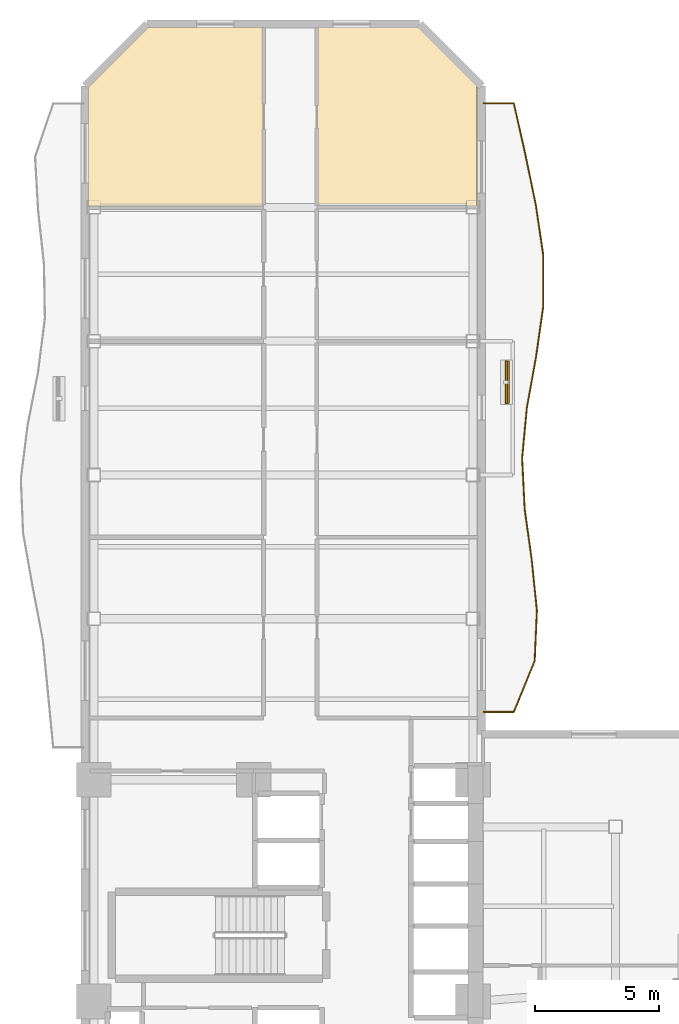
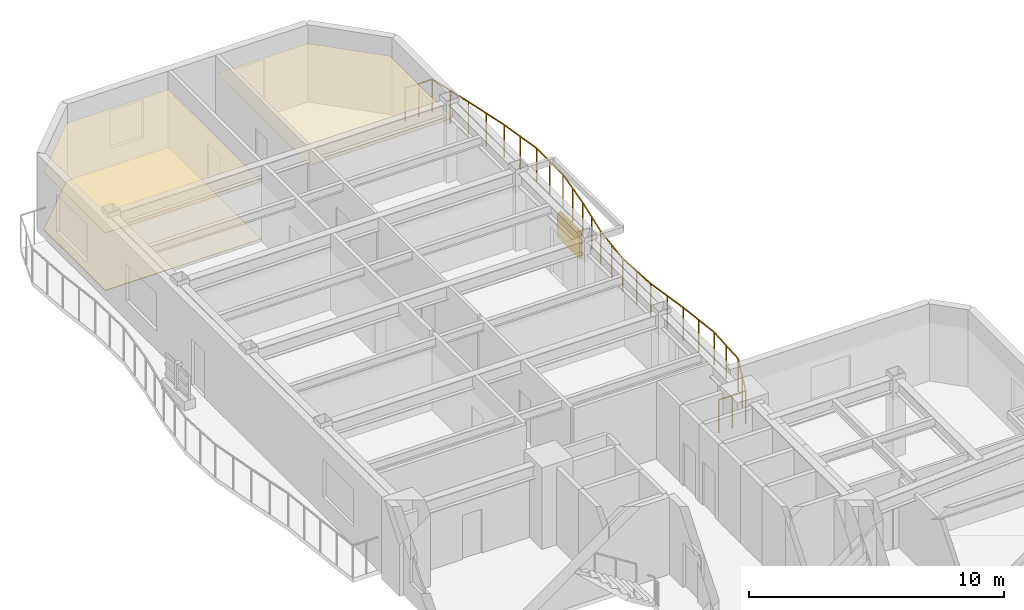
# One storey, part 10 of 10: 4 shading devices, 3 coverings, 1 railing.
"""IFC4 building model written with IfcOpenShell, lengths in metres."""

import ifcopenshell
import ifcopenshell.guid

model = None  # the IFC model being written
_history = None  # IfcOwnerHistory: only IFC2X3 demands one
_inside = {}  # id of a spatial element -> (the spatial element, [elements in it])
_under = {}  # id of a project, library or spatial element -> (it, [spatial elements below it])
_declared = {}  # id of a project -> (the project, [libraries it declares])
_typed = {}  # id of a type object -> (the type object, [elements of that type])
_made_of = {}  # id of a material, layer set ... -> (it, [elements and type objects made of it])


def new_model(schema):
    """Start an empty IFC model of exactly this schema.

    Asked for "IFC4X3", IfcOpenShell would pick the latest addendum, in which some entities
    have other attributes; the version numbers below select the first issue.
    IFC2X3 requires an IfcOwnerHistory on every rooted entity: one is made here for all.
    """
    global model, _history
    if schema == "IFC4X3":
        model = ifcopenshell.file(schema_version=(4, 3, 0, 0))
    else:
        model = ifcopenshell.file(schema=schema)
    _inside.clear()
    _under.clear()
    _declared.clear()
    _typed.clear()
    _made_of.clear()
    _history = None
    if model.schema == "IFC2X3":
        org = make("IfcOrganization", Name="unknown")
        user = make(
            "IfcPersonAndOrganization",
            ThePerson=make("IfcPerson", FamilyName="unknown"),
            TheOrganization=org,
        )
        app = make(
            "IfcApplication",
            ApplicationDeveloper=org,
            Version="unknown",
            ApplicationFullName="unknown",
            ApplicationIdentifier="unknown",
        )
        _history = make(
            "IfcOwnerHistory",
            OwningUser=user,
            OwningApplication=app,
            ChangeAction="ADDED",
            CreationDate=0,
        )
    return model


def make(cls, **values):
    """One entity of the class cls with the attributes given. An attribute that is None is left unset."""
    return model.create_entity(
        cls, **{name: value for name, value in values.items() if value is not None}
    )


def rooted(cls, **values):
    """An entity with a GlobalId (a new one), such as an element, a storey or a relation."""
    return make(cls, GlobalId=ifcopenshell.guid.new(), OwnerHistory=_history, **values)


def si_unit(unit_type, name, prefix=None):
    """IfcSIUnit, for example si_unit("LENGTHUNIT", "METRE", prefix="MILLI")."""
    return make("IfcSIUnit", UnitType=unit_type, Prefix=prefix, Name=name)


def assignment(units):
    """IfcUnitAssignment: the units of a project."""
    return None if units is None else make("IfcUnitAssignment", Units=units)


def point(xyz):
    """IfcCartesianPoint."""
    return None if xyz is None else make("IfcCartesianPoint", Coordinates=xyz)


def direction(xyz):
    """IfcDirection."""
    return None if xyz is None else make("IfcDirection", DirectionRatios=xyz)


def frame(location, z_axis=None, x_axis=None):
    """IfcAxis2Placement3D, a coordinate frame: its origin and axes. An axis left out is left unset."""
    return make(
        "IfcAxis2Placement3D",
        Location=point(location),
        Axis=direction(z_axis),
        RefDirection=direction(x_axis),
    )


def frame_2d(location, x_axis=None):
    """IfcAxis2Placement2D, a coordinate frame in the plane: its origin and x axis."""
    return make(
        "IfcAxis2Placement2D", Location=point(location), RefDirection=direction(x_axis)
    )


def origin():
    """The frame at (0, 0, 0) with its axes left unset."""
    return frame((0.0, 0.0, 0.0))


def origin_2d():
    """The frame at (0, 0) in the plane with its x axis left unset."""
    return frame_2d((0.0, 0.0))


def place(relative_to, where):
    """IfcLocalPlacement: puts the frame where relative to a parent placement (None: the world)."""
    return make(
        "IfcLocalPlacement", PlacementRelTo=relative_to, RelativePlacement=where
    )


def context(
    kind, dimensions, precision=None, world=None, true_north=None, identifier=None
):
    """IfcGeometricRepresentationContext, for example the 3D "Model" context."""
    return make(
        "IfcGeometricRepresentationContext",
        ContextIdentifier=identifier,
        ContextType=kind,
        CoordinateSpaceDimension=dimensions,
        Precision=precision,
        WorldCoordinateSystem=world,
        TrueNorth=true_north,
    )


def subcontext(parent, identifier, kind, view, scale=None):
    """IfcGeometricRepresentationSubContext, for example "Body" below "Model"."""
    return make(
        "IfcGeometricRepresentationSubContext",
        ContextIdentifier=identifier,
        ContextType=kind,
        ParentContext=parent,
        TargetScale=scale,
        TargetView=view,
    )


def project(units=None, contexts=None):
    """IfcProject with its units and contexts."""
    return rooted(
        "IfcProject",
        Name="project",
        RepresentationContexts=contexts,
        UnitsInContext=assignment(units),
    )


def spatial(cls, under=None, at=None, **own):
    """A site, building, storey or space (cls), placed at a placement, below another one or the project."""
    s = rooted(cls, ObjectPlacement=at, **own)
    if under is not None:
        _under.setdefault(under.id(), (under, []))[1].append(s)
    return s


def polyline(points):
    """IfcPolyline through the points."""
    return make("IfcPolyline", Points=[point(p) for p in points])


def profile(cls, at=None, kind="AREA", **sizes):
    """A parametric profile (cls). Its sizes go by their IFC names, for example OverallWidth=200.0."""
    return make(cls, ProfileType=kind, Position=at, **sizes)


def rectangle(**sizes):
    """IfcRectangleProfileDef."""
    return profile("IfcRectangleProfileDef", **sizes)


def outline(outer, holes=None, kind="AREA"):
    """IfcArbitraryClosedProfileDef: a profile drawn as a closed curve; with holes, ...WithVoids."""
    if holes is None:
        return make("IfcArbitraryClosedProfileDef", ProfileType=kind, OuterCurve=outer)
    return make(
        "IfcArbitraryProfileDefWithVoids",
        ProfileType=kind,
        OuterCurve=outer,
        InnerCurves=holes,
    )


def extrude(swept, where, along, depth):
    """IfcExtrudedAreaSolid: the profile swept, set in the frame where, extruded along a direction by depth."""
    return make(
        "IfcExtrudedAreaSolid",
        SweptArea=swept,
        Position=where,
        ExtrudedDirection=direction(along),
        Depth=depth,
    )


def shape(context_of_items, identifier, shape_type, items):
    """IfcShapeRepresentation: the items that make up one representation, for example the "Body"."""
    return make(
        "IfcShapeRepresentation",
        ContextOfItems=context_of_items,
        RepresentationIdentifier=identifier,
        RepresentationType=shape_type,
        Items=items,
    )


def material(Name=None, Category=None):
    """IfcMaterial."""
    return make("IfcMaterial", Name=Name, Category=Category)


def layer(
    of_material, thickness, ventilated=None, Name=None, Category=None, Priority=None
):
    """IfcMaterialLayer: one layer of a wall or slab, of a material (None: an air gap)."""
    return make(
        "IfcMaterialLayer",
        Material=of_material,
        LayerThickness=thickness,
        IsVentilated=ventilated,
        Name=Name,
        Category=Category,
        Priority=Priority,
    )


def layer_set(layers, Name=None):
    """IfcMaterialLayerSet."""
    return make("IfcMaterialLayerSet", MaterialLayers=layers, LayerSetName=Name)


def material_profile(
    of_material, cross_section, Name=None, Category=None, Priority=None
):
    """IfcMaterialProfile: a cross section and its material."""
    return make(
        "IfcMaterialProfile",
        Name=Name,
        Material=of_material,
        Profile=cross_section,
        Priority=Priority,
        Category=Category,
    )


def profile_set(profiles, Name=None, composite=None):
    """IfcMaterialProfileSet."""
    return make(
        "IfcMaterialProfileSet",
        Name=Name,
        MaterialProfiles=profiles,
        CompositeProfile=composite,
    )


def made_of(thing, what):
    """Note that an element or type object is made of a material, layer set ...; save() writes the relation."""
    if what is not None:
        _made_of.setdefault(what.id(), (what, []))[1].append(thing)
    return thing


def type_object(cls, material=None, **own):
    """A type object (cls), such as IfcWallType, which elements share."""
    return made_of(rooted(cls, **own), material)


def element(
    cls,
    number,
    at=None,
    inside=None,
    cuts=None,
    type_object=None,
    material=None,
    context=None,
    identifier="Body",
    shape_type=None,
    held_by="IfcProductDefinitionShape",
    body=None,
    shapes=None,
    **own,
):
    """One element of the class cls, such as IfcWall. Its Tag is "e" and its number.

    at: its placement. inside: the storey or other place that contains it. cuts: it is an
    opening in that element (IfcRelVoidsElement). A single representation is given by context,
    identifier, shape_type and body (its items); several are given by shapes. held_by: the class
    of the entity that holds the representations. save() writes the other relations.
    """
    e = rooted(cls, Tag="e%d" % number, ObjectPlacement=at, **own)
    if body is not None:
        shapes = [shape(context, identifier, shape_type, body)]
    if shapes is not None:
        e.Representation = make(held_by, Representations=shapes)
    if inside is not None:
        _inside.setdefault(inside.id(), (inside, []))[1].append(e)
    if cuts is not None:
        rooted(
            "IfcRelVoidsElement", RelatingBuildingElement=cuts, RelatedOpeningElement=e
        )
    if type_object is not None:
        _typed.setdefault(type_object.id(), (type_object, []))[1].append(e)
    return made_of(e, material)


def aggregate(whole, parts):
    """IfcRelAggregates: a whole, such as a stair, and the parts it consists of."""
    return rooted("IfcRelAggregates", RelatingObject=whole, RelatedObjects=parts)


def save(model, path):
    """Write the relations noted so far, then the file.

    IfcRelAggregates (storeys below a building ...), IfcRelContainedInSpatialStructure (elements
    in a storey), IfcRelDefinesByType, IfcRelAssociatesMaterial and IfcRelDeclares: one each for
    every whole, place, type object, material and project.
    """
    for whole, parts in _under.values():
        aggregate(whole, parts)
    for where, things in _inside.values():
        rooted(
            "IfcRelContainedInSpatialStructure",
            RelatedElements=things,
            RelatingStructure=where,
        )
    for kind, things in _typed.values():
        rooted("IfcRelDefinesByType", RelatedObjects=things, RelatingType=kind)
    for what, things in _made_of.values():
        rooted("IfcRelAssociatesMaterial", RelatedObjects=things, RelatingMaterial=what)
    for by, libraries in _declared.values():
        rooted("IfcRelDeclares", RelatingContext=by, RelatedDefinitions=libraries)
    model.write(path)


model = new_model("IFC4")

# Units and contexts
model_context = context("Model", 3, precision=1e-05, world=origin(), true_north=direction((0.0, 1.0)))
body_context = subcontext(model_context, "Body", "Model", "MODEL_VIEW")
ifc_project = project(units=[si_unit("LENGTHUNIT", "METRE"), si_unit("AREAUNIT", "SQUARE_METRE"), si_unit("VOLUMEUNIT", "CUBIC_METRE"), si_unit("PLANEANGLEUNIT", "RADIAN"), si_unit("MASSUNIT", "GRAM", prefix="KILO")], contexts=[model_context])

# Site, building, storey
site_placement = place(None, origin())
site = spatial("IfcSite", under=ifc_project, at=site_placement, CompositionType="ELEMENT")
building_placement = place(site_placement, origin())
building = spatial("IfcBuilding", under=site, at=building_placement, Name="Mawjaban Terraces University", CompositionType="ELEMENT")
storey_placement = place(building_placement, frame((0.0, 0.0, 81.699951171875)))
storey = spatial("IfcBuildingStorey", under=building, at=storey_placement, Name="L19", CompositionType="ELEMENT", Elevation=81.699951171875)

# Coverings
ifc_material_1 = material(Name="Acoustic mineral fibre ceiling tile", Category="masonry")
ifc_layer_1 = layer(ifc_material_1, 0.02001953125)
ifc_layer_set_1 = layer_set([ifc_layer_1], Name="Acoustic mineral fibre ceiling tile")
covering_type_1 = type_object("IfcCoveringType", Name="AcousticMineralCeiling_20", PredefinedType="CEILING", material=ifc_layer_set_1)
covering_1_placement = place(storey_placement, frame((0.0, 0.0, 2.75)))
element("IfcCovering", 1, at=covering_1_placement, inside=storey, type_object=covering_type_1, Name="L19 Classroom 14 Acoustic Ceiling", PredefinedType="CEILING", context=body_context, shape_type="SweptSolid", body=[
    extrude(outline(polyline([(29.169921875, 53.885009765625), (24.547119140625, 53.885009765625), (22.114990234375, 51.452880859375), (22.114990234375, 46.6298828125), (29.169921875, 46.6298828125), (29.169921875, 53.885009765625)])), origin(), (0.0, 0.0, 1.0), 0.02001953125),
])
covering_2_placement = place(storey_placement, frame((0.0, 0.0, 2.75)))
element("IfcCovering", 2, at=covering_2_placement, inside=storey, type_object=covering_type_1, Name="L19 Academic Counseling Room 15 Acoustic Ceiling", PredefinedType="CEILING", context=body_context, shape_type="SweptSolid", body=[
    extrude(outline(polyline([(37.820068359375, 51.51806640625), (35.452880859375, 53.885009765625), (31.3798828125, 53.885009765625), (31.3798828125, 46.6298828125), (37.820068359375, 46.6298828125), (37.820068359375, 51.51806640625)])), origin(), (0.0, 0.0, 1.0), 0.02001953125),
])

# Railing
ifc_material_2 = material(Name="Galvanised powder-coated steel S355", Category="steel")
railing_type = type_object("IfcRailingType", Name="BalconyBalustrade_1600", PredefinedType="BALUSTRADE", material=ifc_material_2)
railing_placement = place(storey_placement, frame((38.080078125, 26.237060546875, 0.0)))
element("IfcRailing", 3, at=railing_placement, inside=storey, type_object=railing_type, Name="L19 Balcony Guardrail inner_east", PredefinedType="BALUSTRADE", context=body_context, shape_type="SweptSolid", body=[
    extrude(rectangle(XDim=0.048095703125, YDim=0.048095703125, at=origin_2d()), frame((0.0, 0.0, 1.576171875), z_axis=(1.0, 0.0, 0.0), x_axis=(0.0, 1.0, 0.0)), (0.0, 0.0, 1.0), 1.219970703125),
    extrude(rectangle(XDim=0.048095703125, YDim=0.048095703125, at=origin_2d()), frame((1.219970703125, 0.0, 1.576171875), z_axis=(0.380067192371, 0.92495887978, 0.0), x_axis=(-0.92495887978, 0.380067192371, 0.0)), (0.0, 0.0, 1.0), 2.212890625),
    extrude(rectangle(XDim=0.048095703125, YDim=0.048095703125, at=origin_2d()), frame((2.06103515625, 2.046875, 1.576171875), z_axis=(0.044321341141, 0.999017326536, 0.0), x_axis=(-0.999017326536, 0.044321341141, 0.0)), (0.0, 0.0, 1.0), 2.049072265625),
    extrude(rectangle(XDim=0.048095703125, YDim=0.048095703125, at=origin_2d()), frame((2.15185546875, 4.093994140625, 1.576171875), z_axis=(-0.101571207115, 0.994828271555, 0.0), x_axis=(-0.994828271555, -0.101571207115, 0.0)), (0.0, 0.0, 1.0), 2.0576171875),
    extrude(rectangle(XDim=0.048095703125, YDim=0.048095703125, at=origin_2d()), frame((1.94287109375, 6.140869140625, 1.576171875), z_axis=(-0.137848425004, 0.99045333647, 0.0), x_axis=(-0.99045333647, -0.137848425004, 0.0)), (0.0, 0.0, 1.0), 2.06689453125),
    extrude(rectangle(XDim=0.048095703125, YDim=0.048095703125, at=origin_2d()), frame((1.657958984375, 8.18798828125, 1.576171875), z_axis=(-0.049795020712, 0.998759458485, 0.0), x_axis=(-0.998759458485, -0.049795020712, 0.0)), (0.0, 0.0, 1.0), 2.04931640625),
    extrude(rectangle(XDim=0.048095703125, YDim=0.048095703125, at=origin_2d()), frame((1.555908203125, 10.23486328125, 1.576171875), z_axis=(0.092902755783, 0.99567518698, 0.0), x_axis=(-0.99567518698, 0.092902755783, 0.0)), (0.0, 0.0, 1.0), 2.054931640625),
    extrude(rectangle(XDim=0.048095703125, YDim=0.048095703125, at=origin_2d()), frame((1.746826171875, 12.281005859375, 1.576171875), z_axis=(0.178389679961, 0.983959918942, 0.0), x_axis=(-0.983959918942, 0.178389679961, 0.0)), (0.0, 0.0, 1.0), 2.080322265625),
    extrude(rectangle(XDim=0.048095703125, YDim=0.048095703125, at=origin_2d()), frame((2.117919921875, 14.327880859375, 1.576171875), z_axis=(0.140743581352, 0.990046081911, 0.0), x_axis=(-0.990046081911, 0.140743581352, 0.0)), (0.0, 0.0, 1.0), 2.067626953125),
    extrude(rectangle(XDim=0.048095703125, YDim=0.048095703125, at=origin_2d()), frame((2.408935546875, 16.375, 1.576171875), z_axis=(0.000477099182, 0.999999886188, 0.0), x_axis=(-0.999999886188, 0.000477099182, 0.0)), (0.0, 0.0, 1.0), 2.046875),
    extrude(rectangle(XDim=0.048095703125, YDim=0.048095703125, at=origin_2d()), frame((2.409912109375, 18.421875, 1.576171875), z_axis=(-0.146407564098, 0.989224355328, 0.0), x_axis=(-0.989224355328, -0.146407564098, 0.0)), (0.0, 0.0, 1.0), 2.0693359375),
    extrude(rectangle(XDim=0.048095703125, YDim=0.048095703125, at=origin_2d()), frame((2.10693359375, 20.468994140625, 1.576171875), z_axis=(-0.203319966479, 0.979112348626, 0.0), x_axis=(-0.979112348626, -0.203319966479, 0.0)), (0.0, 0.0, 1.0), 2.090576171875),
    extrude(rectangle(XDim=0.048095703125, YDim=0.048095703125, at=origin_2d()), frame((1.681884765625, 22.515869140625, 1.576171875), z_axis=(-0.22010732849, 0.975475660355, 0.0), x_axis=(-0.975475660355, -0.22010732849, 0.0)), (0.0, 0.0, 1.0), 2.0986328125),
    extrude(rectangle(XDim=0.048095703125, YDim=0.048095703125, at=origin_2d()), frame((1.219970703125, 24.56298828125, 1.576171875), z_axis=(-1.0, 0.0, 0.0), x_axis=(0.0, -1.0, 0.0)), (0.0, 0.0, 1.0), 1.219970703125),
    extrude(rectangle(XDim=0.0419921875, YDim=0.0419921875, at=origin_2d()), origin(), (0.0, 0.0, 1.0), 1.552001953125),
    extrude(rectangle(XDim=0.0419921875, YDim=0.0419921875, at=origin_2d()), frame((0.60986328125, 0.0, 0.0)), (0.0, 0.0, 1.0), 1.552001953125),
    extrude(rectangle(XDim=0.0419921875, YDim=0.0419921875, at=origin_2d()), frame((1.219970703125, 0.0, 0.0)), (0.0, 0.0, 1.0), 1.552001953125),
    extrude(rectangle(XDim=0.0419921875, YDim=0.0419921875, at=origin_2d()), frame((1.640625, 1.0234375, 0.0)), (0.0, 0.0, 1.0), 1.552001953125),
    extrude(rectangle(XDim=0.0419921875, YDim=0.0419921875, at=origin_2d()), frame((2.06103515625, 2.046875, 0.0)), (0.0, 0.0, 1.0), 1.552001953125),
    extrude(rectangle(XDim=0.0419921875, YDim=0.0419921875, at=origin_2d()), frame((2.1064453125, 3.0703125, 0.0)), (0.0, 0.0, 1.0), 1.552001953125),
    extrude(rectangle(XDim=0.0419921875, YDim=0.0419921875, at=origin_2d()), frame((2.15185546875, 4.093994140625, 0.0)), (0.0, 0.0, 1.0), 1.552001953125),
    extrude(rectangle(XDim=0.0419921875, YDim=0.0419921875, at=origin_2d()), frame((2.04736328125, 5.117431640625, 0.0)), (0.0, 0.0, 1.0), 1.552001953125),
    extrude(rectangle(XDim=0.0419921875, YDim=0.0419921875, at=origin_2d()), frame((1.94287109375, 6.140869140625, 0.0)), (0.0, 0.0, 1.0), 1.552001953125),
    extrude(rectangle(XDim=0.0419921875, YDim=0.0419921875, at=origin_2d()), frame((1.80029296875, 7.16455078125, 0.0)), (0.0, 0.0, 1.0), 1.552001953125),
    extrude(rectangle(XDim=0.0419921875, YDim=0.0419921875, at=origin_2d()), frame((1.657958984375, 8.18798828125, 0.0)), (0.0, 0.0, 1.0), 1.552001953125),
    extrude(rectangle(XDim=0.0419921875, YDim=0.0419921875, at=origin_2d()), frame((1.60693359375, 9.21142578125, 0.0)), (0.0, 0.0, 1.0), 1.552001953125),
    extrude(rectangle(XDim=0.0419921875, YDim=0.0419921875, at=origin_2d()), frame((1.555908203125, 10.23486328125, 0.0)), (0.0, 0.0, 1.0), 1.552001953125),
    extrude(rectangle(XDim=0.0419921875, YDim=0.0419921875, at=origin_2d()), frame((1.6513671875, 11.2578125, 0.0)), (0.0, 0.0, 1.0), 1.552001953125),
    extrude(rectangle(XDim=0.0419921875, YDim=0.0419921875, at=origin_2d()), frame((1.746826171875, 12.281005859375, 0.0)), (0.0, 0.0, 1.0), 1.552001953125),
    extrude(rectangle(XDim=0.0419921875, YDim=0.0419921875, at=origin_2d()), frame((1.932373046875, 13.304443359375, 0.0)), (0.0, 0.0, 1.0), 1.552001953125),
    extrude(rectangle(XDim=0.0419921875, YDim=0.0419921875, at=origin_2d()), frame((2.117919921875, 14.327880859375, 0.0)), (0.0, 0.0, 1.0), 1.552001953125),
    extrude(rectangle(XDim=0.0419921875, YDim=0.0419921875, at=origin_2d()), frame((2.263427734375, 15.3515625, 0.0)), (0.0, 0.0, 1.0), 1.552001953125),
    extrude(rectangle(XDim=0.0419921875, YDim=0.0419921875, at=origin_2d()), frame((2.408935546875, 16.375, 0.0)), (0.0, 0.0, 1.0), 1.552001953125),
    extrude(rectangle(XDim=0.0419921875, YDim=0.0419921875, at=origin_2d()), frame((2.409423828125, 17.3984375, 0.0)), (0.0, 0.0, 1.0), 1.552001953125),
    extrude(rectangle(XDim=0.0419921875, YDim=0.0419921875, at=origin_2d()), frame((2.409912109375, 18.421875, 0.0)), (0.0, 0.0, 1.0), 1.552001953125),
    extrude(rectangle(XDim=0.0419921875, YDim=0.0419921875, at=origin_2d()), frame((2.25830078125, 19.4453125, 0.0)), (0.0, 0.0, 1.0), 1.552001953125),
    extrude(rectangle(XDim=0.0419921875, YDim=0.0419921875, at=origin_2d()), frame((2.10693359375, 20.468994140625, 0.0)), (0.0, 0.0, 1.0), 1.552001953125),
    extrude(rectangle(XDim=0.0419921875, YDim=0.0419921875, at=origin_2d()), frame((1.89453125, 21.492431640625, 0.0)), (0.0, 0.0, 1.0), 1.552001953125),
    extrude(rectangle(XDim=0.0419921875, YDim=0.0419921875, at=origin_2d()), frame((1.681884765625, 22.515869140625, 0.0)), (0.0, 0.0, 1.0), 1.552001953125),
    extrude(rectangle(XDim=0.0419921875, YDim=0.0419921875, at=origin_2d()), frame((1.450927734375, 23.53955078125, 0.0)), (0.0, 0.0, 1.0), 1.552001953125),
    extrude(rectangle(XDim=0.0419921875, YDim=0.0419921875, at=origin_2d()), frame((1.219970703125, 24.56298828125, 0.0)), (0.0, 0.0, 1.0), 1.552001953125),
    extrude(rectangle(XDim=0.0419921875, YDim=0.0419921875, at=origin_2d()), frame((0.60986328125, 24.56298828125, 0.0)), (0.0, 0.0, 1.0), 1.552001953125),
    extrude(rectangle(XDim=0.0419921875, YDim=0.0419921875, at=origin_2d()), frame((0.0, 24.56298828125, 0.0)), (0.0, 0.0, 1.0), 1.552001953125),
])

# Shading devices
ifc_material_3 = material(Name="Glazed architectural terracotta ceramic", Category="masonry")
ifc_material_profile = material_profile(ifc_material_3, rectangle(XDim=0.06494140625, YDim=0.110107421875, at=origin_2d()), Name="TBAG110X65")
ifc_profile_set = profile_set([ifc_material_profile], Name="Glazed architectural terracotta ceramic")
shading_device_type_1 = type_object("IfcShadingDeviceType", Name="TerracottaBaguette_110x65", PredefinedType="USERDEFINED", material=ifc_profile_set)
for number, where, z_axis, x_axis, name in (
    (4, (39.0859375, 38.69091796875, 0.679931640625), (0.0, 1.0, 0.0), (-1.0, 0.0, 0.0), "L19 Horizontal Terracotta Baguette inner_east.1"),
    (5, (39.0859375, 38.69091796875, 1.150146484375), (0.0, 1.0, 0.0), (-1.0, 0.0, 0.0), "L19 Horizontal Terracotta Baguette inner_east.2"),
    (6, (39.0859375, 38.69091796875, 1.6201171875), (0.0, 1.0, 0.0), (-1.0, 0.0, 0.0), "L19 Horizontal Terracotta Baguette inner_east.3"),
):
    element("IfcShadingDevice", number, at=place(storey_placement, frame(where, z_axis=z_axis, x_axis=x_axis)), inside=storey, type_object=shading_device_type_1, Name=name, ObjectType="BAGUETTE", PredefinedType="USERDEFINED", context=body_context, shape_type="SweptSolid", body=[
        extrude(rectangle(XDim=0.06494140625, YDim=0.110107421875, at=origin_2d()), origin(), (0.0, 0.0, 1.0), 1.7001953125),
    ])
ifc_layer_2 = layer(ifc_material_3, 0.080078125)
ifc_layer_set_2 = layer_set([ifc_layer_2], Name="Glazed architectural terracotta ceramic")
shading_device_type_2 = type_object("IfcShadingDeviceType", Name="TerracottaScreen_Perforated", PredefinedType="USERDEFINED", material=ifc_layer_set_2)
shading_device_placement = place(storey_placement, frame((39.0009765625, 39.541015625, 0.440185546875), z_axis=(0.0, 0.0, 1.0), x_axis=(0.0, 1.0, 0.0)))
element("IfcShadingDevice", 7, at=shading_device_placement, inside=storey, type_object=shading_device_type_2, Name="L19 Balcony Perforated Terracotta Screen inner_east", ObjectType="SCREEN", PredefinedType="USERDEFINED", context=body_context, shape_type="SweptSolid", body=[
    extrude(rectangle(XDim=1.75, YDim=0.080078125, at=origin_2d()), origin(), (0.0, 0.0, 1.0), 1.14990234375),
])

# Covering
ifc_material_4 = material(Name="Polished Hijazi granite terrazzo flooring", Category="masonry")
ifc_layer_3 = layer(ifc_material_4, 0.02490234375)
ifc_layer_set_3 = layer_set([ifc_layer_3], Name="Polished Hijazi granite terrazzo flooring")
covering_type_2 = type_object("IfcCoveringType", Name="TerrazzoConcourseFlooring_25", PredefinedType="FLOORING", material=ifc_layer_set_3)
covering_3_placement = place(storey_placement, origin())
element("IfcCovering", 8, at=covering_3_placement, inside=storey, type_object=covering_type_2, Name="L19 Classroom 14 Terrazzo Flooring", PredefinedType="FLOORING", context=body_context, shape_type="SweptSolid", body=[
    extrude(outline(polyline([(29.169921875, 53.885009765625), (24.547119140625, 53.885009765625), (22.114990234375, 51.452880859375), (22.114990234375, 46.6298828125), (29.169921875, 46.6298828125), (29.169921875, 53.885009765625)])), origin(), (0.0, 0.0, 1.0), 0.025146484375),
])

save(model, "model.ifc")
